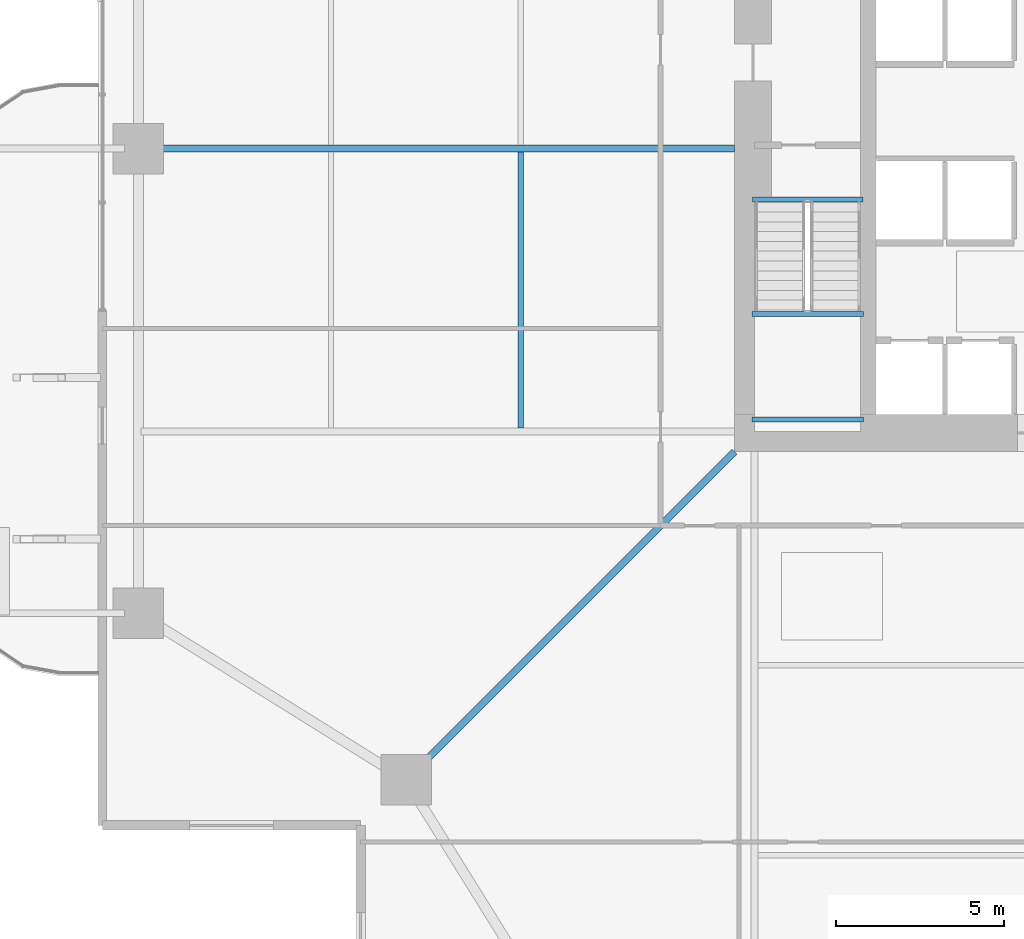
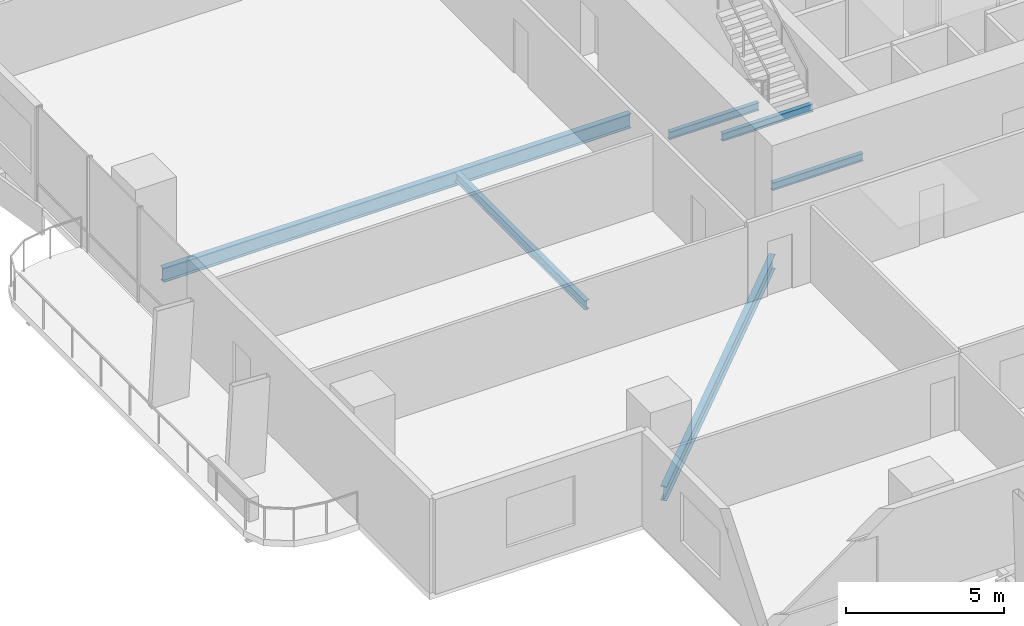
# One storey, part 5 of 24: 6 beams.
"""IFC4 building model written with IfcOpenShell, lengths in metres."""

from ifc_helpers import new_model, si_unit, direction, frame, origin, origin_2d, place, context, subcontext, project, spatial, i_section, extrude, material, material_profile, profile_set, type_object, element, save


model = new_model("IFC4")

# Units and contexts
model_context = context("Model", 3, precision=1e-05, world=origin(), true_north=direction((0.0, 1.0)))
body_context = subcontext(model_context, "Body", "Model", "MODEL_VIEW")
ifc_project = project(units=[si_unit("LENGTHUNIT", "METRE"), si_unit("AREAUNIT", "SQUARE_METRE"), si_unit("VOLUMEUNIT", "CUBIC_METRE"), si_unit("PLANEANGLEUNIT", "RADIAN"), si_unit("MASSUNIT", "GRAM", prefix="KILO")], contexts=[model_context])

# Site, building, storey
site_placement = place(None, origin())
site = spatial("IfcSite", under=ifc_project, at=site_placement, CompositionType="ELEMENT")
building_placement = place(site_placement, origin())
building = spatial("IfcBuilding", under=site, at=building_placement, Name="Belovzor Exchange Tower", CompositionType="ELEMENT")
storey_placement = place(building_placement, frame((0.0, 0.0, 61.199951171875)))
storey = spatial("IfcBuildingStorey", under=building, at=storey_placement, Name="L14", CompositionType="ELEMENT", Elevation=61.199951171875)

# Beams
ifc_material_1 = material(Name="Steel S355", Category="steel")
ifc_material_profile_1 = material_profile(ifc_material_1, i_section(OverallWidth=0.169921875, OverallDepth=0.360107421875, WebThickness=0.008056640625, FlangeThickness=0.0126953125, at=origin_2d()))
ifc_profile_set_1 = profile_set([ifc_material_profile_1], Name="Steel S355")
beam_type_1 = type_object("IfcBeamType", Name="Secondary Infill Floor Joist IPE 360", PredefinedType="BEAM", material=ifc_profile_set_1)
beam_1_placement = place(storey_placement, frame((13.455078125, 20.5048828125, -0.429931640625), z_axis=(0.0, 1.0, 0.0), x_axis=(-1.0, 0.0, 0.0)))
element("IfcBeam", 1, at=beam_1_placement, inside=storey, type_object=beam_type_1, Name="FJ-360 Secondary Infill Floor Joist IPE 360", PredefinedType="BEAM", context=body_context, shape_type="SweptSolid", body=[
    extrude(i_section(OverallWidth=0.169921875, OverallDepth=0.360107421875, WebThickness=0.008056640625, FlangeThickness=0.0126953125, at=origin_2d()), origin(), (0.0, 0.0, 1.0), 8.190185546875),
])
ifc_material_2 = material(Name="Steel S355", Category="steel")
ifc_material_profile_2 = material_profile(ifc_material_2, i_section(OverallWidth=0.14990234375, OverallDepth=0.300048828125, WebThickness=0.007080078125, FlangeThickness=0.0107421875, at=origin_2d()))
ifc_profile_set_2 = profile_set([ifc_material_profile_2], Name="Steel S355")
beam_type_2 = type_object("IfcBeamType", Name="Secondary Trim Floor Joist IPE 300", PredefinedType="BEAM", material=ifc_profile_set_2)
for number, where, z_axis, x_axis, name in (
    (2, (20.320068359375, 23.889892578125, 1.60009765625), (1.0, 0.0, 0.0), (0.0, 1.0, 0.0), "FJ-300 Secondary Trim Floor Joist IPE 300"),
    (3, (20.320068359375, 20.75, 1.60009765625), (1.0, 0.0, 0.0), (0.0, 1.0, 0.0), "FJ-300 Secondary Trim Floor Joist IPE 300"),
):
    element("IfcBeam", number, at=place(storey_placement, frame(where, z_axis=z_axis, x_axis=x_axis)), inside=storey, type_object=beam_type_2, Name=name, PredefinedType="BEAM", context=body_context, shape_type="SweptSolid", body=[
        extrude(i_section(OverallWidth=0.14990234375, OverallDepth=0.300048828125, WebThickness=0.007080078125, FlangeThickness=0.0107421875, at=origin_2d()), origin(), (0.0, 0.0, 1.0), 3.309814453125),
    ])
beam_2_placement = place(storey_placement, frame((20.340087890625, 27.280029296875, -0.39990234375), z_axis=(1.0, 0.0, 0.0), x_axis=(0.0, 1.0, 0.0)))
element("IfcBeam", 4, at=beam_2_placement, inside=storey, type_object=beam_type_2, Name="FJ-300 Secondary Trim Floor Joist IPE 300", PredefinedType="BEAM", context=body_context, shape_type="SweptSolid", body=[
    extrude(i_section(OverallWidth=0.14990234375, OverallDepth=0.300048828125, WebThickness=0.007080078125, FlangeThickness=0.0107421875, at=origin_2d()), origin(), (0.0, 0.0, 1.0), 3.27001953125),
])
ifc_material_3 = material(Name="Steel S355", Category="steel")
ifc_material_profile_3 = material_profile(ifc_material_3, i_section(OverallWidth=0.2099609375, OverallDepth=0.550048828125, WebThickness=0.010986328125, FlangeThickness=0.01708984375, at=origin_2d()))
ifc_profile_set_3 = profile_set([ifc_material_profile_3], Name="Steel S355")
beam_type_3 = type_object("IfcBeamType", Name="Zone 1 Radial Composite Floor Beam IPE 550", PredefinedType="BEAM", material=ifc_profile_set_3)
beam_3_placement = place(storey_placement, frame((19.800048828125, 28.800048828125, -0.52490234375), z_axis=(-1.0, 0.0, 0.0), x_axis=(0.0, -1.0, 0.0)))
element("IfcBeam", 5, at=beam_3_placement, inside=storey, type_object=beam_type_3, Name="FB-550 Zone 1 Radial Composite Floor Beam IPE 550", PredefinedType="BEAM", context=body_context, shape_type="SweptSolid", body=[
    extrude(i_section(OverallWidth=0.2099609375, OverallDepth=0.550048828125, WebThickness=0.010986328125, FlangeThickness=0.01708984375, at=origin_2d()), origin(), (0.0, 0.0, 1.0), 17.0400390625),
])
beam_4_placement = place(storey_placement, frame((19.800048828125, 19.800048828125, -0.52490234375), z_axis=(-0.707106781187, -0.707106781187, 0.0), x_axis=(0.707106781187, -0.707106781187, 0.0)))
element("IfcBeam", 6, at=beam_4_placement, inside=storey, type_object=beam_type_3, Name="FB-550 Zone 1 Radial Composite Floor Beam IPE 550", PredefinedType="BEAM", context=body_context, shape_type="SweptSolid", body=[
    extrude(i_section(OverallWidth=0.2099609375, OverallDepth=0.550048828125, WebThickness=0.010986328125, FlangeThickness=0.01708984375, at=origin_2d()), origin(), (0.0, 0.0, 1.0), 13.25830078125),
])

save(model, "model.ifc")
